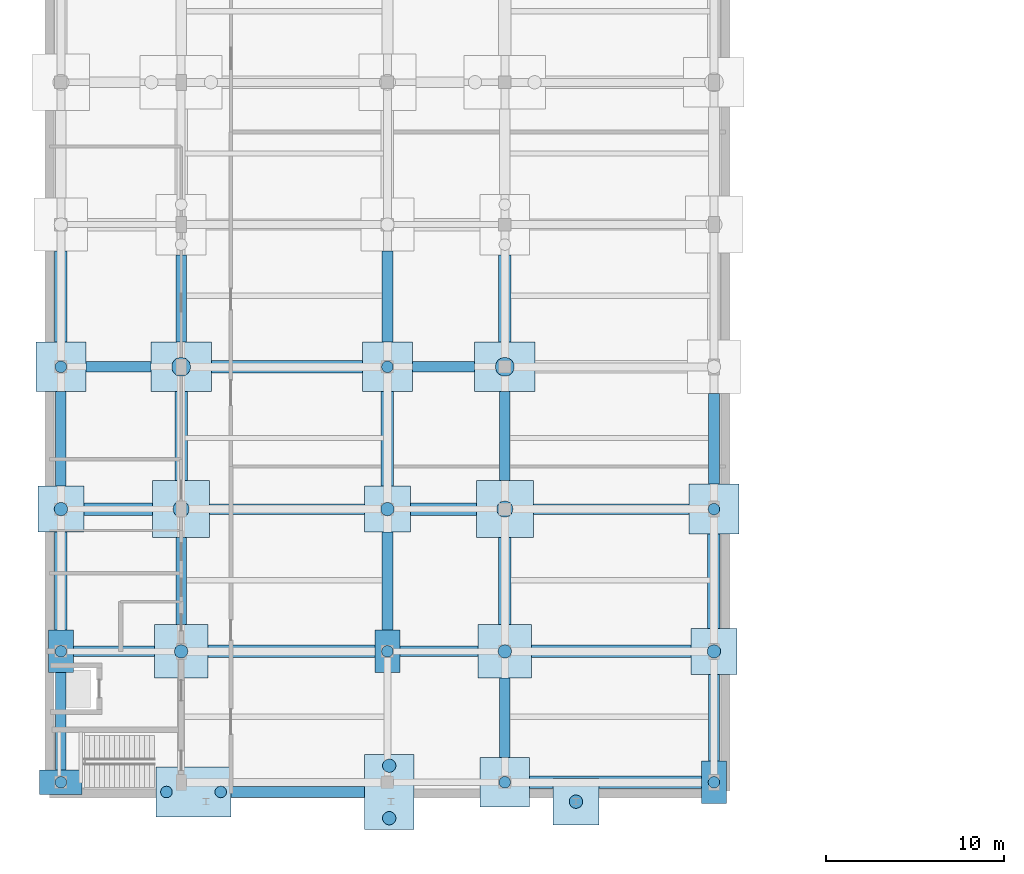
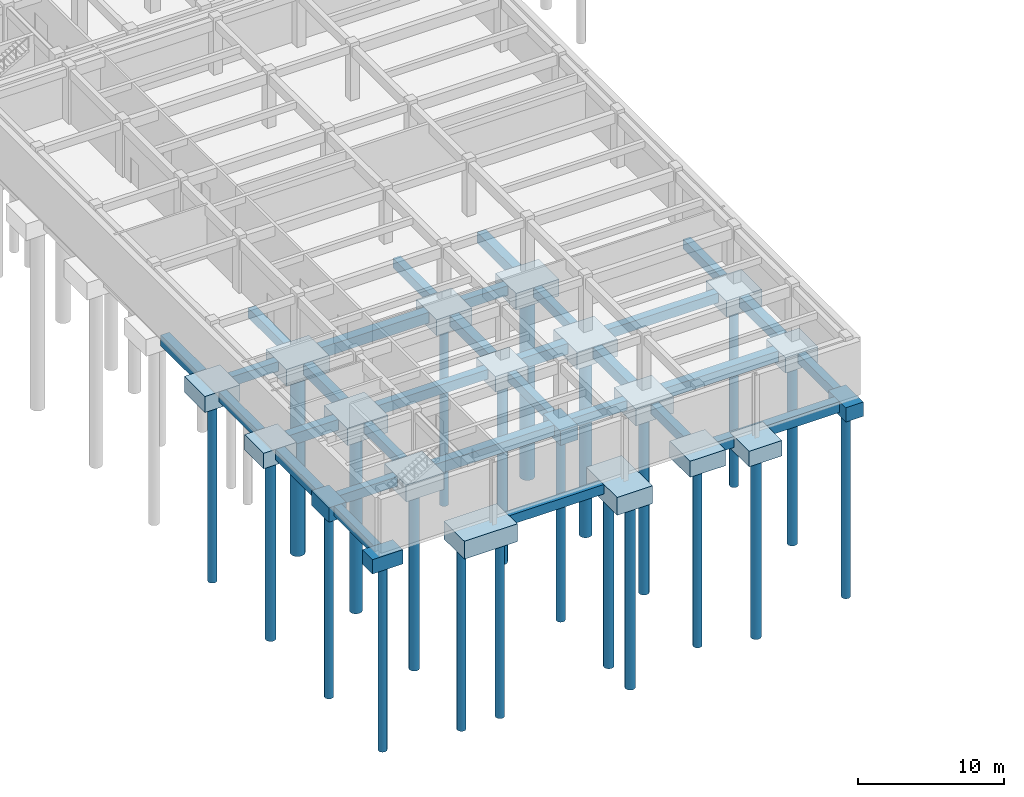
# One storey, part 1 of 35: 50 footings, 22 piles.
"""IFC4 building model written with IfcOpenShell, lengths in metres."""

from ifc_helpers import new_model, si_unit, direction, frame, origin, origin_2d, place, context, subcontext, project, spatial, polyline, rectangle, circle, outline, extrude, material, layer, layer_set, material_profile, profile_set, type_object, element, save


model = new_model("IFC4")

# Units and contexts
model_context = context("Model", 3, precision=1e-05, world=origin(), true_north=direction((0.0, 1.0)))
body_context = subcontext(model_context, "Body", "Model", "MODEL_VIEW")
ifc_project = project(units=[si_unit("LENGTHUNIT", "METRE"), si_unit("AREAUNIT", "SQUARE_METRE"), si_unit("VOLUMEUNIT", "CUBIC_METRE"), si_unit("PLANEANGLEUNIT", "RADIAN"), si_unit("MASSUNIT", "GRAM", prefix="KILO")], contexts=[model_context])

# Site, building, storey
site_placement = place(None, origin())
site = spatial("IfcSite", under=ifc_project, at=site_placement, CompositionType="ELEMENT")
building_placement = place(site_placement, origin())
building = spatial("IfcBuilding", under=site, at=building_placement, Name="Cinchona Park Media Centre", CompositionType="ELEMENT")
storey_placement = place(building_placement, frame((0.0, 0.0, -4.800048828125)))
storey = spatial("IfcBuildingStorey", under=building, at=storey_placement, Name="B1", CompositionType="ELEMENT", Elevation=-4.800048828125)

# Footings
ifc_material_1 = material(Name="Concrete C40/50", Category="concrete")
ifc_layer_1 = layer(ifc_material_1, 0.800048828125)
ifc_layer_set_1 = layer_set([ifc_layer_1], Name="Concrete C40/50")
footing_type_1 = type_object("IfcFootingType", Name="FTG-BEAM-FB01", PredefinedType="FOOTING_BEAM", material=ifc_layer_set_1)
footing_1_placement = place(storey_placement, frame((0.0, 0.0, -1.25)))
element("IfcFooting", 1, at=footing_1_placement, inside=storey, type_object=footing_type_1, Name="Ground Tie Beam FB01", PredefinedType="FOOTING_BEAM", context=body_context, shape_type="SweptSolid", body=[
    extrude(outline(polyline([(18.199951171875, 7.39501953125), (25.699951171875, 7.39501953125), (25.699951171875, 7.9951171875), (18.199951171875, 7.9951171875), (18.199951171875, 7.39501953125)])), origin(), (0.0, 0.0, 1.0), 0.800048828125),
])
footing_2_placement = place(storey_placement, frame((0.0, 0.0, -1.25)))
element("IfcFooting", 2, at=footing_2_placement, inside=storey, type_object=footing_type_1, Name="Ground Tie Beam FB01", PredefinedType="FOOTING_BEAM", context=body_context, shape_type="SweptSolid", body=[
    extrude(outline(polyline([(9.340087890625, 15.300048828125), (13.89990234375, 15.300048828125), (13.89990234375, 15.89990234375), (9.340087890625, 15.89990234375), (9.340087890625, 15.300048828125)])), origin(), (0.0, 0.0, 1.0), 0.800048828125),
])
footing_3_placement = place(storey_placement, frame((0.0, 0.0, -1.25)))
element("IfcFooting", 3, at=footing_3_placement, inside=storey, type_object=footing_type_1, Name="Ground Tie Beam FB01", PredefinedType="FOOTING_BEAM", context=body_context, shape_type="SweptSolid", body=[
    extrude(outline(polyline([(27.699951171875, 15.300048828125), (32.10009765625, 15.300048828125), (32.10009765625, 15.89990234375), (27.699951171875, 15.89990234375), (27.699951171875, 15.300048828125)])), origin(), (0.0, 0.0, 1.0), 0.800048828125),
])
footing_4_placement = place(storey_placement, frame((0.0, 0.0, -1.25)))
element("IfcFooting", 4, at=footing_4_placement, inside=storey, type_object=footing_type_1, Name="Ground Tie Beam FB01", PredefinedType="FOOTING_BEAM", context=body_context, shape_type="SweptSolid", body=[
    extrude(outline(polyline([(17.0, 23.300048828125), (25.699951171875, 23.300048828125), (25.699951171875, 23.89990234375), (17.0, 23.89990234375), (17.0, 23.300048828125)])), origin(), (0.0, 0.0, 1.0), 0.800048828125),
])
footing_5_placement = place(storey_placement, frame((0.0, 0.0, -1.25)))
element("IfcFooting", 5, at=footing_5_placement, inside=storey, type_object=footing_type_1, Name="Ground Tie Beam FB01", PredefinedType="FOOTING_BEAM", context=body_context, shape_type="SweptSolid", body=[
    extrude(outline(polyline([(35.199951171875, 23.300048828125), (43.9599609375, 23.300048828125), (43.9599609375, 23.89990234375), (35.199951171875, 23.89990234375), (35.199951171875, 23.300048828125)])), origin(), (0.0, 0.0, 1.0), 0.800048828125),
])
footing_6_placement = place(storey_placement, frame((0.0, 0.0, -1.25)))
element("IfcFooting", 6, at=footing_6_placement, inside=storey, type_object=footing_type_1, Name="Ground Tie Beam FB01", PredefinedType="FOOTING_BEAM", context=body_context, shape_type="SweptSolid", body=[
    extrude(outline(polyline([(10.0400390625, 31.300048828125), (13.699951171875, 31.300048828125), (13.699951171875, 31.89990234375), (10.0400390625, 31.89990234375), (10.0400390625, 31.300048828125)])), origin(), (0.0, 0.0, 1.0), 0.800048828125),
])
footing_7_placement = place(storey_placement, frame((0.0, 0.0, -1.25)))
element("IfcFooting", 7, at=footing_7_placement, inside=storey, type_object=footing_type_1, Name="Ground Tie Beam FB01", PredefinedType="FOOTING_BEAM", context=body_context, shape_type="SweptSolid", body=[
    extrude(outline(polyline([(28.39990234375, 31.300048828125), (31.89990234375, 31.300048828125), (31.89990234375, 31.89990234375), (28.39990234375, 31.89990234375), (28.39990234375, 31.300048828125)])), origin(), (0.0, 0.0, 1.0), 0.800048828125),
])
footing_8_placement = place(storey_placement, frame((0.0, 0.0, -1.25)))
element("IfcFooting", 8, at=footing_8_placement, inside=storey, type_object=footing_type_1, Name="Ground Tie Beam FB01", PredefinedType="FOOTING_BEAM", context=body_context, shape_type="SweptSolid", body=[
    extrude(outline(polyline([(8.340087890625, 8.93994140625), (8.93994140625, 8.93994140625), (8.93994140625, 14.39990234375), (8.340087890625, 14.39990234375), (8.340087890625, 8.93994140625)])), origin(), (0.0, 0.0, 1.0), 0.800048828125),
])
footing_9_placement = place(storey_placement, frame((0.0, 0.0, -1.25)))
element("IfcFooting", 9, at=footing_9_placement, inside=storey, type_object=footing_type_1, Name="Ground Tie Beam FB01", PredefinedType="FOOTING_BEAM", context=body_context, shape_type="SweptSolid", body=[
    extrude(outline(polyline([(8.340087890625, 24.89990234375), (8.93994140625, 24.89990234375), (8.93994140625, 30.199951171875), (8.340087890625, 30.199951171875), (8.340087890625, 24.89990234375)])), origin(), (0.0, 0.0, 1.0), 0.800048828125),
])
footing_10_placement = place(storey_placement, frame((0.0, 0.0, -1.25)))
element("IfcFooting", 10, at=footing_10_placement, inside=storey, type_object=footing_type_1, Name="Ground Tie Beam FB01", PredefinedType="FOOTING_BEAM", context=body_context, shape_type="SweptSolid", body=[
    extrude(outline(polyline([(15.10009765625, 17.10009765625), (15.699951171875, 17.10009765625), (15.699951171875, 22.0), (15.10009765625, 22.0), (15.10009765625, 17.10009765625)])), origin(), (0.0, 0.0, 1.0), 0.800048828125),
])
footing_11_placement = place(storey_placement, frame((0.0, 0.0, -1.25)))
element("IfcFooting", 11, at=footing_11_placement, inside=storey, type_object=footing_type_1, Name="Ground Tie Beam FB01", PredefinedType="FOOTING_BEAM", context=body_context, shape_type="SweptSolid", body=[
    extrude(outline(polyline([(15.10009765625, 33.0), (15.699951171875, 33.0), (15.699951171875, 37.89990234375), (15.10009765625, 37.89990234375), (15.10009765625, 33.0)])), origin(), (0.0, 0.0, 1.0), 0.800048828125),
])
footing_12_placement = place(storey_placement, frame((0.0, 0.0, -1.25)))
element("IfcFooting", 12, at=footing_12_placement, inside=storey, type_object=footing_type_1, Name="Ground Tie Beam FB01", PredefinedType="FOOTING_BEAM", context=body_context, shape_type="SweptSolid", body=[
    extrude(outline(polyline([(26.699951171875, 16.800048828125), (27.300048828125, 16.800048828125), (27.300048828125, 22.300048828125), (26.699951171875, 22.300048828125), (26.699951171875, 16.800048828125)])), origin(), (0.0, 0.0, 1.0), 0.800048828125),
])
footing_13_placement = place(storey_placement, frame((0.0, 0.0, -1.25)))
element("IfcFooting", 13, at=footing_13_placement, inside=storey, type_object=footing_type_1, Name="Ground Tie Beam FB01", PredefinedType="FOOTING_BEAM", context=body_context, shape_type="SweptSolid", body=[
    extrude(outline(polyline([(26.699951171875, 33.0), (27.300048828125, 33.0), (27.300048828125, 38.10009765625), (26.699951171875, 38.10009765625), (26.699951171875, 33.0)])), origin(), (0.0, 0.0, 1.0), 0.800048828125),
])
footing_14_placement = place(storey_placement, frame((0.0, 0.0, -1.25)))
element("IfcFooting", 14, at=footing_14_placement, inside=storey, type_object=footing_type_1, Name="Ground Tie Beam FB01", PredefinedType="FOOTING_BEAM", context=body_context, shape_type="SweptSolid", body=[
    extrude(outline(polyline([(33.300048828125, 9.639892578125), (33.89990234375, 9.639892578125), (33.89990234375, 14.10009765625), (33.300048828125, 14.10009765625), (33.300048828125, 9.639892578125)])), origin(), (0.0, 0.0, 1.0), 0.800048828125),
])
footing_15_placement = place(storey_placement, frame((0.0, 0.0, -1.25)))
element("IfcFooting", 15, at=footing_15_placement, inside=storey, type_object=footing_type_1, Name="Ground Tie Beam FB01", PredefinedType="FOOTING_BEAM", context=body_context, shape_type="SweptSolid", body=[
    extrude(outline(polyline([(33.300048828125, 25.199951171875), (33.89990234375, 25.199951171875), (33.89990234375, 30.199951171875), (33.300048828125, 30.199951171875), (33.300048828125, 25.199951171875)])), origin(), (0.0, 0.0, 1.0), 0.800048828125),
])
footing_16_placement = place(storey_placement, frame((0.0, 0.0, -1.25)))
element("IfcFooting", 16, at=footing_16_placement, inside=storey, type_object=footing_type_1, Name="Ground Tie Beam FB01", PredefinedType="FOOTING_BEAM", context=body_context, shape_type="SweptSolid", body=[
    extrude(outline(polyline([(45.06005859375, 9.43994140625), (45.659912109375, 9.43994140625), (45.659912109375, 14.300048828125), (45.06005859375, 14.300048828125), (45.06005859375, 9.43994140625)])), origin(), (0.0, 0.0, 1.0), 0.800048828125),
])
footing_17_placement = place(storey_placement, frame((0.0, 0.0, -1.25)))
element("IfcFooting", 17, at=footing_17_placement, inside=storey, type_object=footing_type_1, Name="Ground Tie Beam FB01", PredefinedType="FOOTING_BEAM", context=body_context, shape_type="SweptSolid", body=[
    extrude(outline(polyline([(45.06005859375, 25.0), (45.659912109375, 25.0), (45.659912109375, 30.10009765625), (45.06005859375, 30.10009765625), (45.06005859375, 25.0)])), origin(), (0.0, 0.0, 1.0), 0.800048828125),
])
ifc_material_2 = material(Name="Concrete C40/50", Category="concrete")
ifc_layer_2 = layer(ifc_material_2, 0.89990234375)
ifc_layer_set_2 = layer_set([ifc_layer_2], Name="Concrete C40/50")
footing_type_2 = type_object("IfcFootingType", Name="FTG-BEAM-FB02", PredefinedType="FOOTING_BEAM", material=ifc_layer_set_2)
footing_18_placement = place(storey_placement, frame((0.0, 0.0, -1.349853515625)))
element("IfcFooting", 18, at=footing_18_placement, inside=storey, type_object=footing_type_2, Name="Ground Tie Beam FB02", PredefinedType="FOOTING_BEAM", context=body_context, shape_type="SweptSolid", body=[
    extrude(outline(polyline([(35.0, 7.889892578125), (44.659912109375, 7.889892578125), (44.659912109375, 8.590087890625), (35.0, 8.590087890625), (35.0, 7.889892578125)])), origin(), (0.0, 0.0, 1.0), 0.89990234375),
])
footing_19_placement = place(storey_placement, frame((0.0, 0.0, -1.349853515625)))
element("IfcFooting", 19, at=footing_19_placement, inside=storey, type_object=footing_type_2, Name="Ground Tie Beam FB02", PredefinedType="FOOTING_BEAM", context=body_context, shape_type="SweptSolid", body=[
    extrude(outline(polyline([(16.89990234375, 15.25), (26.300048828125, 15.25), (26.300048828125, 15.949951171875), (16.89990234375, 15.949951171875), (16.89990234375, 15.25)])), origin(), (0.0, 0.0, 1.0), 0.89990234375),
])
footing_20_placement = place(storey_placement, frame((0.0, 0.0, -1.349853515625)))
element("IfcFooting", 20, at=footing_20_placement, inside=storey, type_object=footing_type_2, Name="Ground Tie Beam FB02", PredefinedType="FOOTING_BEAM", context=body_context, shape_type="SweptSolid", body=[
    extrude(outline(polyline([(35.10009765625, 15.25), (44.06005859375, 15.25), (44.06005859375, 15.949951171875), (35.10009765625, 15.949951171875), (35.10009765625, 15.25)])), origin(), (0.0, 0.0, 1.0), 0.89990234375),
])
footing_21_placement = place(storey_placement, frame((0.0, 0.0, -1.349853515625)))
element("IfcFooting", 21, at=footing_21_placement, inside=storey, type_object=footing_type_2, Name="Ground Tie Beam FB02", PredefinedType="FOOTING_BEAM", context=body_context, shape_type="SweptSolid", body=[
    extrude(outline(polyline([(9.93994140625, 23.25), (13.800048828125, 23.25), (13.800048828125, 23.949951171875), (9.93994140625, 23.949951171875), (9.93994140625, 23.25)])), origin(), (0.0, 0.0, 1.0), 0.89990234375),
])
footing_22_placement = place(storey_placement, frame((0.0, 0.0, -1.349853515625)))
element("IfcFooting", 22, at=footing_22_placement, inside=storey, type_object=footing_type_2, Name="Ground Tie Beam FB02", PredefinedType="FOOTING_BEAM", context=body_context, shape_type="SweptSolid", body=[
    extrude(outline(polyline([(28.300048828125, 23.25), (32.0, 23.25), (32.0, 23.949951171875), (28.300048828125, 23.949951171875), (28.300048828125, 23.25)])), origin(), (0.0, 0.0, 1.0), 0.89990234375),
])
footing_23_placement = place(storey_placement, frame((0.0, 0.0, -1.349853515625)))
element("IfcFooting", 23, at=footing_23_placement, inside=storey, type_object=footing_type_2, Name="Ground Tie Beam FB02", PredefinedType="FOOTING_BEAM", context=body_context, shape_type="SweptSolid", body=[
    extrude(outline(polyline([(17.10009765625, 31.25), (25.60009765625, 31.25), (25.60009765625, 31.949951171875), (17.10009765625, 31.949951171875), (17.10009765625, 31.25)])), origin(), (0.0, 0.0, 1.0), 0.89990234375),
])
footing_24_placement = place(storey_placement, frame((0.0, 0.0, -1.349853515625)))
element("IfcFooting", 24, at=footing_24_placement, inside=storey, type_object=footing_type_2, Name="Ground Tie Beam FB02", PredefinedType="FOOTING_BEAM", context=body_context, shape_type="SweptSolid", body=[
    extrude(outline(polyline([(8.2900390625, 16.800048828125), (8.989990234375, 16.800048828125), (8.989990234375, 22.300048828125), (8.2900390625, 22.300048828125), (8.2900390625, 16.800048828125)])), origin(), (0.0, 0.0, 1.0), 0.89990234375),
])
footing_25_placement = place(storey_placement, frame((0.0, 0.0, -1.349853515625)))
element("IfcFooting", 25, at=footing_25_placement, inside=storey, type_object=footing_type_2, Name="Ground Tie Beam FB02", PredefinedType="FOOTING_BEAM", context=body_context, shape_type="SweptSolid", body=[
    extrude(outline(polyline([(8.2900390625, 33.0), (8.989990234375, 33.0), (8.989990234375, 38.10009765625), (8.2900390625, 38.10009765625), (8.2900390625, 33.0)])), origin(), (0.0, 0.0, 1.0), 0.89990234375),
])
footing_26_placement = place(storey_placement, frame((0.0, 0.0, -1.349853515625)))
element("IfcFooting", 26, at=footing_26_placement, inside=storey, type_object=footing_type_2, Name="Ground Tie Beam FB02", PredefinedType="FOOTING_BEAM", context=body_context, shape_type="SweptSolid", body=[
    extrude(outline(polyline([(15.050048828125, 25.199951171875), (15.75, 25.199951171875), (15.75, 30.199951171875), (15.050048828125, 30.199951171875), (15.050048828125, 25.199951171875)])), origin(), (0.0, 0.0, 1.0), 0.89990234375),
])
footing_27_placement = place(storey_placement, frame((0.0, 0.0, -1.349853515625)))
element("IfcFooting", 27, at=footing_27_placement, inside=storey, type_object=footing_type_2, Name="Ground Tie Beam FB02", PredefinedType="FOOTING_BEAM", context=body_context, shape_type="SweptSolid", body=[
    extrude(outline(polyline([(26.64990234375, 24.89990234375), (27.35009765625, 24.89990234375), (27.35009765625, 30.199951171875), (26.64990234375, 30.199951171875), (26.64990234375, 24.89990234375)])), origin(), (0.0, 0.0, 1.0), 0.89990234375),
])
footing_28_placement = place(storey_placement, frame((0.0, 0.0, -1.349853515625)))
element("IfcFooting", 28, at=footing_28_placement, inside=storey, type_object=footing_type_2, Name="Ground Tie Beam FB02", PredefinedType="FOOTING_BEAM", context=body_context, shape_type="SweptSolid", body=[
    extrude(outline(polyline([(33.25, 17.10009765625), (33.949951171875, 17.10009765625), (33.949951171875, 22.0), (33.25, 22.0), (33.25, 17.10009765625)])), origin(), (0.0, 0.0, 1.0), 0.89990234375),
])
footing_29_placement = place(storey_placement, frame((0.0, 0.0, -1.349853515625)))
element("IfcFooting", 29, at=footing_29_placement, inside=storey, type_object=footing_type_2, Name="Ground Tie Beam FB02", PredefinedType="FOOTING_BEAM", context=body_context, shape_type="SweptSolid", body=[
    extrude(outline(polyline([(33.25, 33.0), (33.949951171875, 33.0), (33.949951171875, 37.89990234375), (33.25, 37.89990234375), (33.25, 33.0)])), origin(), (0.0, 0.0, 1.0), 0.89990234375),
])
footing_30_placement = place(storey_placement, frame((0.0, 0.0, -1.349853515625)))
element("IfcFooting", 30, at=footing_30_placement, inside=storey, type_object=footing_type_2, Name="Ground Tie Beam FB02", PredefinedType="FOOTING_BEAM", context=body_context, shape_type="SweptSolid", body=[
    extrude(outline(polyline([(45.010009765625, 16.89990234375), (45.7099609375, 16.89990234375), (45.7099609375, 22.199951171875), (45.010009765625, 22.199951171875), (45.010009765625, 16.89990234375)])), origin(), (0.0, 0.0, 1.0), 0.89990234375),
])

# Piles
ifc_material_3 = material(Name="Concrete C40/50", Category="concrete")
ifc_material_profile_1 = material_profile(ifc_material_3, circle(Radius=0.52490234375, at=origin_2d()), Name="BORED PILE 1050")
ifc_profile_set_1 = profile_set([ifc_material_profile_1], Name="Concrete C40/50")
pile_type_1 = type_object("IfcPileType", Name="PILE-BP1050", PredefinedType="BORED", material=ifc_profile_set_1)
for number, where, z_axis, x_axis, name in (
    (31, (15.39990234375, 31.60009765625, -1.75), (0.0, 0.0, -1.0), (1.0, 0.0, 0.0), "Bored Pile P1050"),
    (32, (33.60009765625, 31.60009765625, -1.75), (0.0, 0.0, -1.0), (1.0, 0.0, 0.0), "Bored Pile P1050"),
):
    element("IfcPile", number, at=place(storey_placement, frame(where, z_axis=z_axis, x_axis=x_axis)), inside=storey, type_object=pile_type_1, Name=name, PredefinedType="BORED", context=body_context, shape_type="SweptSolid", body=[
        extrude(circle(Radius=0.52490234375, at=origin_2d()), origin(), (0.0, 0.0, 1.0), 15.449951171875),
    ])
ifc_material_4 = material(Name="Concrete C40/50", Category="concrete")
ifc_material_profile_2 = material_profile(ifc_material_4, circle(Radius=0.324951171875, at=origin_2d()), Name="BORED PILE 650")
ifc_profile_set_2 = profile_set([ifc_material_profile_2], Name="Concrete C40/50")
pile_type_2 = type_object("IfcPileType", Name="PILE-BP650", PredefinedType="BORED", material=ifc_profile_set_2)
for number, where, z_axis, x_axis, name in (
    (33, (8.639892578125, 8.239990234375, -1.550048828125), (0.0, 0.0, -1.0), (1.0, 0.0, 0.0), "Bored Pile P650"),
    (34, (8.639892578125, 15.60009765625, -1.550048828125), (0.0, 0.0, -1.0), (1.0, 0.0, 0.0), "Bored Pile P650"),
):
    element("IfcPile", number, at=place(storey_placement, frame(where, z_axis=z_axis, x_axis=x_axis)), inside=storey, type_object=pile_type_2, Name=name, PredefinedType="BORED", context=body_context, shape_type="SweptSolid", body=[
        extrude(circle(Radius=0.324951171875, at=origin_2d()), origin(), (0.0, 0.0, 1.0), 15.64990234375),
    ])
pile_1_placement = place(storey_placement, frame((8.639892578125, 31.60009765625, -1.699951171875), z_axis=(0.0, 0.0, -1.0), x_axis=(1.0, 0.0, 0.0)))
element("IfcPile", 35, at=pile_1_placement, inside=storey, type_object=pile_type_2, Name="Bored Pile P650", PredefinedType="BORED", context=body_context, shape_type="SweptSolid", body=[
    extrude(circle(Radius=0.324951171875, at=origin_2d()), origin(), (0.0, 0.0, 1.0), 15.5),
])
for number, where, z_axis, x_axis, name in (
    (36, (14.574951171875, 7.695068359375, -1.849853515625), (0.0, 0.0, -1.0), (1.0, 0.0, 0.0), "Bored Pile P650"),
    (37, (17.625, 7.695068359375, -1.849853515625), (0.0, 0.0, -1.0), (1.0, 0.0, 0.0), "Bored Pile P650"),
):
    element("IfcPile", number, at=place(storey_placement, frame(where, z_axis=z_axis, x_axis=x_axis)), inside=storey, type_object=pile_type_2, Name=name, PredefinedType="BORED", context=body_context, shape_type="SweptSolid", body=[
        extrude(circle(Radius=0.324951171875, at=origin_2d()), origin(), (0.0, 0.0, 1.0), 15.35009765625),
    ])
pile_2_placement = place(storey_placement, frame((27.0, 15.60009765625, -1.550048828125), z_axis=(0.0, 0.0, -1.0), x_axis=(1.0, 0.0, 0.0)))
element("IfcPile", 38, at=pile_2_placement, inside=storey, type_object=pile_type_2, Name="Bored Pile P650", PredefinedType="BORED", context=body_context, shape_type="SweptSolid", body=[
    extrude(circle(Radius=0.324951171875, at=origin_2d()), origin(), (0.0, 0.0, 1.0), 15.64990234375),
])
for number, where, z_axis, x_axis, name in (
    (39, (27.0, 31.60009765625, -1.699951171875), (0.0, 0.0, -1.0), (1.0, 0.0, 0.0), "Bored Pile P650"),
    (40, (33.60009765625, 8.239990234375, -1.699951171875), (0.0, 0.0, -1.0), (1.0, 0.0, 0.0), "Bored Pile P650"),
):
    element("IfcPile", number, at=place(storey_placement, frame(where, z_axis=z_axis, x_axis=x_axis)), inside=storey, type_object=pile_type_2, Name=name, PredefinedType="BORED", context=body_context, shape_type="SweptSolid", body=[
        extrude(circle(Radius=0.324951171875, at=origin_2d()), origin(), (0.0, 0.0, 1.0), 15.5),
    ])
pile_3_placement = place(storey_placement, frame((45.360107421875, 8.239990234375, -1.550048828125), z_axis=(0.0, 0.0, -1.0), x_axis=(1.0, 0.0, 0.0)))
element("IfcPile", 41, at=pile_3_placement, inside=storey, type_object=pile_type_2, Name="Bored Pile P650", PredefinedType="BORED", context=body_context, shape_type="SweptSolid", body=[
    extrude(circle(Radius=0.324951171875, at=origin_2d()), origin(), (0.0, 0.0, 1.0), 15.64990234375),
])
pile_4_placement = place(storey_placement, frame((45.360107421875, 23.60009765625, -1.699951171875), z_axis=(0.0, 0.0, -1.0), x_axis=(1.0, 0.0, 0.0)))
element("IfcPile", 42, at=pile_4_placement, inside=storey, type_object=pile_type_2, Name="Bored Pile P650", PredefinedType="BORED", context=body_context, shape_type="SweptSolid", body=[
    extrude(circle(Radius=0.324951171875, at=origin_2d()), origin(), (0.0, 0.0, 1.0), 15.5),
])
ifc_material_5 = material(Name="Concrete C40/50", Category="concrete")
ifc_material_profile_3 = material_profile(ifc_material_5, circle(Radius=0.375, at=origin_2d()), Name="BORED PILE 750")
ifc_profile_set_3 = profile_set([ifc_material_profile_3], Name="Concrete C40/50")
pile_type_3 = type_object("IfcPileType", Name="PILE-BP750", PredefinedType="BORED", material=ifc_profile_set_3)
pile_5_placement = place(storey_placement, frame((8.639892578125, 23.60009765625, -1.64990234375), z_axis=(0.0, 0.0, -1.0), x_axis=(1.0, 0.0, 0.0)))
element("IfcPile", 43, at=pile_5_placement, inside=storey, type_object=pile_type_3, Name="Bored Pile P750", PredefinedType="BORED", context=body_context, shape_type="SweptSolid", body=[
    extrude(circle(Radius=0.375, at=origin_2d()), origin(), (0.0, 0.0, 1.0), 15.550048828125),
])
pile_6_placement = place(storey_placement, frame((15.39990234375, 15.60009765625, -1.75), z_axis=(0.0, 0.0, -1.0), x_axis=(1.0, 0.0, 0.0)))
element("IfcPile", 44, at=pile_6_placement, inside=storey, type_object=pile_type_3, Name="Bored Pile P750", PredefinedType="BORED", context=body_context, shape_type="SweptSolid", body=[
    extrude(circle(Radius=0.375, at=origin_2d()), origin(), (0.0, 0.0, 1.0), 15.449951171875),
])
for number, where, z_axis, x_axis, name in (
    (45, (27.10009765625, 6.219970703125, -1.849853515625), (0.0, 0.0, -1.0), (1.0, 0.0, 0.0), "Bored Pile P750"),
    (46, (27.10009765625, 9.169921875, -1.849853515625), (0.0, 0.0, -1.0), (1.0, 0.0, 0.0), "Bored Pile P750"),
):
    element("IfcPile", number, at=place(storey_placement, frame(where, z_axis=z_axis, x_axis=x_axis)), inside=storey, type_object=pile_type_3, Name=name, PredefinedType="BORED", context=body_context, shape_type="SweptSolid", body=[
        extrude(circle(Radius=0.375, at=origin_2d()), origin(), (0.0, 0.0, 1.0), 15.35009765625),
    ])
pile_7_placement = place(storey_placement, frame((27.0, 23.60009765625, -1.64990234375), z_axis=(0.0, 0.0, -1.0), x_axis=(1.0, 0.0, 0.0)))
element("IfcPile", 47, at=pile_7_placement, inside=storey, type_object=pile_type_3, Name="Bored Pile P750", PredefinedType="BORED", context=body_context, shape_type="SweptSolid", body=[
    extrude(circle(Radius=0.375, at=origin_2d()), origin(), (0.0, 0.0, 1.0), 15.550048828125),
])
pile_8_placement = place(storey_placement, frame((33.60009765625, 15.60009765625, -1.75), z_axis=(0.0, 0.0, -1.0), x_axis=(1.0, 0.0, 0.0)))
element("IfcPile", 48, at=pile_8_placement, inside=storey, type_object=pile_type_3, Name="Bored Pile P750", PredefinedType="BORED", context=body_context, shape_type="SweptSolid", body=[
    extrude(circle(Radius=0.375, at=origin_2d()), origin(), (0.0, 0.0, 1.0), 15.449951171875),
])
for number, where, z_axis, x_axis, name in (
    (49, (37.60009765625, 7.14990234375, -1.64990234375), (0.0, 0.0, -1.0), (1.0, 0.0, 0.0), "Bored Pile P750"),
    (50, (45.360107421875, 15.60009765625, -1.64990234375), (0.0, 0.0, -1.0), (1.0, 0.0, 0.0), "Bored Pile P750"),
):
    element("IfcPile", number, at=place(storey_placement, frame(where, z_axis=z_axis, x_axis=x_axis)), inside=storey, type_object=pile_type_3, Name=name, PredefinedType="BORED", context=body_context, shape_type="SweptSolid", body=[
        extrude(circle(Radius=0.375, at=origin_2d()), origin(), (0.0, 0.0, 1.0), 15.550048828125),
    ])
ifc_material_6 = material(Name="Concrete C40/50", Category="concrete")
ifc_material_profile_4 = material_profile(ifc_material_6, circle(Radius=0.449951171875, at=origin_2d()), Name="BORED PILE 900")
ifc_profile_set_4 = profile_set([ifc_material_profile_4], Name="Concrete C40/50")
pile_type_4 = type_object("IfcPileType", Name="PILE-BP900", PredefinedType="BORED", material=ifc_profile_set_4)
for number, where, z_axis, x_axis, name in (
    (51, (15.39990234375, 23.60009765625, -1.800048828125), (0.0, 0.0, -1.0), (1.0, 0.0, 0.0), "Bored Pile P900"),
    (52, (33.60009765625, 23.60009765625, -1.800048828125), (0.0, 0.0, -1.0), (1.0, 0.0, 0.0), "Bored Pile P900"),
):
    element("IfcPile", number, at=place(storey_placement, frame(where, z_axis=z_axis, x_axis=x_axis)), inside=storey, type_object=pile_type_4, Name=name, PredefinedType="BORED", context=body_context, shape_type="SweptSolid", body=[
        extrude(circle(Radius=0.449951171875, at=origin_2d()), origin(), (0.0, 0.0, 1.0), 15.39990234375),
    ])

# Footings
ifc_material_7 = material(Name="Concrete C40/50", Category="concrete")
ifc_layer_3 = layer(ifc_material_7, 1.199951171875)
ifc_layer_set_3 = layer_set([ifc_layer_3], Name="Concrete C40/50")
footing_type_3 = type_object("IfcFootingType", Name="PILE-CAP-PC01", PredefinedType="PILE_CAP", material=ifc_layer_set_3)
footing_31_placement = place(storey_placement, frame((8.639892578125, 8.239990234375, -1.64990234375), z_axis=(0.0, 0.0, 1.0), x_axis=(1.0, 0.0, 0.0)))
element("IfcFooting", 53, at=footing_31_placement, inside=storey, type_object=footing_type_3, Name="Pile Cap PC01", PredefinedType="PILE_CAP", context=body_context, shape_type="SweptSolid", body=[
    extrude(rectangle(XDim=2.39990234375, YDim=1.39990234375, at=origin_2d()), origin(), (0.0, 0.0, 1.0), 1.199951171875),
])
ifc_material_8 = material(Name="Concrete C40/50", Category="concrete")
ifc_layer_4 = layer(ifc_material_8, 1.199951171875)
ifc_layer_set_4 = layer_set([ifc_layer_4], Name="Concrete C40/50")
footing_type_4 = type_object("IfcFootingType", Name="PILE-CAP-PC02", PredefinedType="PILE_CAP", material=ifc_layer_set_4)
for number, where, z_axis, x_axis, name in (
    (54, (8.639892578125, 15.60009765625, -1.64990234375), (0.0, 0.0, 1.0), (1.0, 0.0, 0.0), "Pile Cap PC02"),
    (55, (27.0, 15.60009765625, -1.64990234375), (0.0, 0.0, 1.0), (1.0, 0.0, 0.0), "Pile Cap PC02"),
    (56, (45.360107421875, 8.239990234375, -1.64990234375), (0.0, 0.0, 1.0), (1.0, 0.0, 0.0), "Pile Cap PC02"),
):
    element("IfcFooting", number, at=place(storey_placement, frame(where, z_axis=z_axis, x_axis=x_axis)), inside=storey, type_object=footing_type_4, Name=name, PredefinedType="PILE_CAP", context=body_context, shape_type="SweptSolid", body=[
        extrude(rectangle(XDim=1.39990234375, YDim=2.39990234375, at=origin_2d()), origin(), (0.0, 0.0, 1.0), 1.199951171875),
    ])
ifc_material_9 = material(Name="Concrete C40/50", Category="concrete")
ifc_layer_5 = layer(ifc_material_9, 1.300048828125)
ifc_layer_set_5 = layer_set([ifc_layer_5], Name="Concrete C40/50")
footing_type_5 = type_object("IfcFootingType", Name="PILE-CAP-PC03", PredefinedType="PILE_CAP", material=ifc_layer_set_5)
for number, where, z_axis, x_axis, name in (
    (57, (8.639892578125, 23.60009765625, -1.75), (0.0, 0.0, 1.0), (1.0, 0.0, 0.0), "Pile Cap PC03"),
    (58, (27.0, 23.60009765625, -1.75), (0.0, 0.0, 1.0), (1.0, 0.0, 0.0), "Pile Cap PC03"),
    (59, (37.60009765625, 7.14990234375, -1.75), (0.0, 0.0, 1.0), (1.0, 0.0, 0.0), "Pile Cap PC03"),
    (60, (45.360107421875, 15.60009765625, -1.75), (0.0, 0.0, 1.0), (1.0, 0.0, 0.0), "Pile Cap PC03"),
):
    element("IfcFooting", number, at=place(storey_placement, frame(where, z_axis=z_axis, x_axis=x_axis)), inside=storey, type_object=footing_type_5, Name=name, PredefinedType="PILE_CAP", context=body_context, shape_type="SweptSolid", body=[
        extrude(rectangle(XDim=2.60009765625, YDim=2.60009765625, at=origin_2d()), origin(), (0.0, 0.0, 1.0), 1.300048828125),
    ])
ifc_material_10 = material(Name="Concrete C40/50", Category="concrete")
ifc_layer_6 = layer(ifc_material_10, 1.35009765625)
ifc_layer_set_6 = layer_set([ifc_layer_6], Name="Concrete C40/50")
footing_type_6 = type_object("IfcFootingType", Name="PILE-CAP-PC04", PredefinedType="PILE_CAP", material=ifc_layer_set_6)
for number, where, z_axis, x_axis, name in (
    (61, (8.639892578125, 31.60009765625, -1.800048828125), (0.0, 0.0, 1.0), (1.0, 0.0, 0.0), "Pile Cap PC04"),
    (62, (27.0, 31.60009765625, -1.800048828125), (0.0, 0.0, 1.0), (1.0, 0.0, 0.0), "Pile Cap PC04"),
    (63, (33.60009765625, 8.239990234375, -1.800048828125), (0.0, 0.0, 1.0), (1.0, 0.0, 0.0), "Pile Cap PC04"),
    (64, (45.360107421875, 23.60009765625, -1.800048828125), (0.0, 0.0, 1.0), (1.0, 0.0, 0.0), "Pile Cap PC04"),
):
    element("IfcFooting", number, at=place(storey_placement, frame(where, z_axis=z_axis, x_axis=x_axis)), inside=storey, type_object=footing_type_6, Name=name, PredefinedType="PILE_CAP", context=body_context, shape_type="SweptSolid", body=[
        extrude(rectangle(XDim=2.800048828125, YDim=2.800048828125, at=origin_2d()), origin(), (0.0, 0.0, 1.0), 1.35009765625),
    ])
ifc_material_11 = material(Name="Concrete C40/50", Category="concrete")
ifc_layer_7 = layer(ifc_material_11, 1.39990234375)
ifc_layer_set_7 = layer_set([ifc_layer_7], Name="Concrete C40/50")
footing_type_7 = type_object("IfcFootingType", Name="PILE-CAP-PC05", PredefinedType="PILE_CAP", material=ifc_layer_set_7)
for number, where, z_axis, x_axis, name in (
    (65, (15.39990234375, 15.60009765625, -1.849853515625), (0.0, 0.0, 1.0), (1.0, 0.0, 0.0), "Pile Cap PC05"),
    (66, (33.60009765625, 15.60009765625, -1.849853515625), (0.0, 0.0, 1.0), (1.0, 0.0, 0.0), "Pile Cap PC05"),
):
    element("IfcFooting", number, at=place(storey_placement, frame(where, z_axis=z_axis, x_axis=x_axis)), inside=storey, type_object=footing_type_7, Name=name, PredefinedType="PILE_CAP", context=body_context, shape_type="SweptSolid", body=[
        extrude(rectangle(XDim=3.0, YDim=3.0, at=origin_2d()), origin(), (0.0, 0.0, 1.0), 1.39990234375),
    ])
ifc_material_12 = material(Name="Concrete C40/50", Category="concrete")
ifc_layer_8 = layer(ifc_material_12, 1.449951171875)
ifc_layer_set_8 = layer_set([ifc_layer_8], Name="Concrete C40/50")
footing_type_8 = type_object("IfcFootingType", Name="PILE-CAP-PC06", PredefinedType="PILE_CAP", material=ifc_layer_set_8)
for number, where, z_axis, x_axis, name in (
    (67, (15.39990234375, 23.60009765625, -1.89990234375), (0.0, 0.0, 1.0), (1.0, 0.0, 0.0), "Pile Cap PC06"),
    (68, (33.60009765625, 23.60009765625, -1.89990234375), (0.0, 0.0, 1.0), (1.0, 0.0, 0.0), "Pile Cap PC06"),
):
    element("IfcFooting", number, at=place(storey_placement, frame(where, z_axis=z_axis, x_axis=x_axis)), inside=storey, type_object=footing_type_8, Name=name, PredefinedType="PILE_CAP", context=body_context, shape_type="SweptSolid", body=[
        extrude(rectangle(XDim=3.199951171875, YDim=3.199951171875, at=origin_2d()), origin(), (0.0, 0.0, 1.0), 1.449951171875),
    ])
ifc_material_13 = material(Name="Concrete C40/50", Category="concrete")
ifc_layer_9 = layer(ifc_material_13, 1.39990234375)
ifc_layer_set_9 = layer_set([ifc_layer_9], Name="Concrete C40/50")
footing_type_9 = type_object("IfcFootingType", Name="PILE-CAP-PC07", PredefinedType="PILE_CAP", material=ifc_layer_set_9)
for number, where, z_axis, x_axis, name in (
    (69, (15.39990234375, 31.60009765625, -1.849853515625), (0.0, 0.0, 1.0), (1.0, 0.0, 0.0), "Pile Cap PC07"),
    (70, (33.60009765625, 31.60009765625, -1.849853515625), (0.0, 0.0, 1.0), (1.0, 0.0, 0.0), "Pile Cap PC07"),
):
    element("IfcFooting", number, at=place(storey_placement, frame(where, z_axis=z_axis, x_axis=x_axis)), inside=storey, type_object=footing_type_9, Name=name, PredefinedType="PILE_CAP", context=body_context, shape_type="SweptSolid", body=[
        extrude(rectangle(XDim=3.39990234375, YDim=2.800048828125, at=origin_2d()), origin(), (0.0, 0.0, 1.0), 1.39990234375),
    ])
ifc_material_14 = material(Name="Concrete C40/50", Category="concrete")
ifc_layer_10 = layer(ifc_material_14, 1.5)
ifc_layer_set_10 = layer_set([ifc_layer_10], Name="Concrete C40/50")
footing_type_10 = type_object("IfcFootingType", Name="PILE-CAP-PC09", PredefinedType="PILE_CAP", material=ifc_layer_set_10)
footing_32_placement = place(storey_placement, frame((16.10009765625, 7.695068359375, -1.949951171875), z_axis=(0.0, 0.0, 1.0), x_axis=(1.0, 0.0, 0.0)))
element("IfcFooting", 71, at=footing_32_placement, inside=storey, type_object=footing_type_10, Name="Pile Cap PC09", PredefinedType="PILE_CAP", context=body_context, shape_type="SweptSolid", body=[
    extrude(rectangle(XDim=4.199951171875, YDim=2.800048828125, at=origin_2d()), origin(), (0.0, 0.0, 1.0), 1.5),
])
ifc_material_15 = material(Name="Concrete C40/50", Category="concrete")
ifc_layer_11 = layer(ifc_material_15, 1.5)
ifc_layer_set_11 = layer_set([ifc_layer_11], Name="Concrete C40/50")
footing_type_11 = type_object("IfcFootingType", Name="PILE-CAP-PC10", PredefinedType="PILE_CAP", material=ifc_layer_set_11)
footing_33_placement = place(storey_placement, frame((27.10009765625, 7.695068359375, -1.949951171875), z_axis=(0.0, 0.0, 1.0), x_axis=(1.0, 0.0, 0.0)))
element("IfcFooting", 72, at=footing_33_placement, inside=storey, type_object=footing_type_11, Name="Pile Cap PC10", PredefinedType="PILE_CAP", context=body_context, shape_type="SweptSolid", body=[
    extrude(rectangle(XDim=2.800048828125, YDim=4.199951171875, at=origin_2d()), origin(), (0.0, 0.0, 1.0), 1.5),
])

save(model, "model.ifc")
